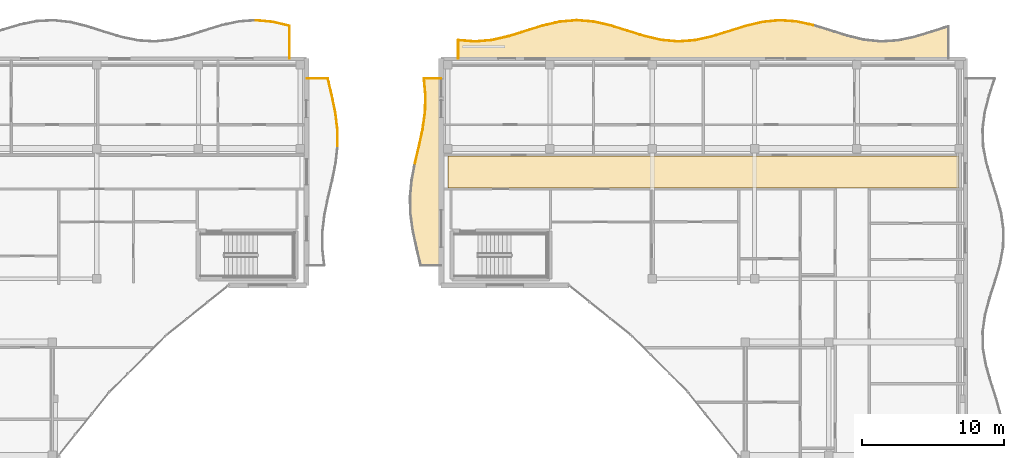
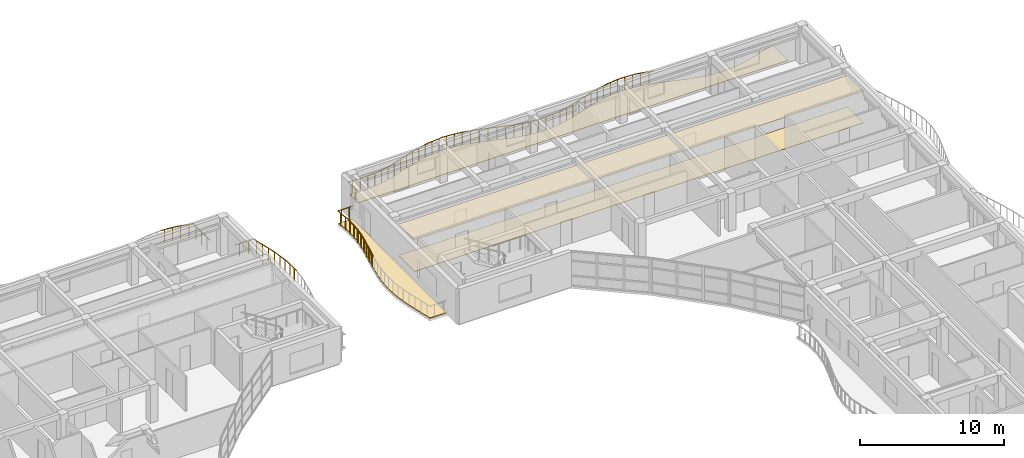
# One storey, part 78 of 79: 36 railings, 4 coverings.
"""IFC4 building model written with IfcOpenShell, lengths in metres."""

from ifc_helpers import new_model, si_unit, direction, frame, origin, origin_2d, place, context, subcontext, project, spatial, polyline, circle, outline, extrude, material, layer, layer_set, type_object, element, save


model = new_model("IFC4")

# Units and contexts
model_context = context("Model", 3, precision=1e-05, world=origin(), true_north=direction((0.0, 1.0)))
body_context = subcontext(model_context, "Body", "Model", "MODEL_VIEW")
ifc_project = project(units=[si_unit("LENGTHUNIT", "METRE"), si_unit("AREAUNIT", "SQUARE_METRE"), si_unit("VOLUMEUNIT", "CUBIC_METRE"), si_unit("PLANEANGLEUNIT", "RADIAN"), si_unit("MASSUNIT", "GRAM", prefix="KILO")], contexts=[model_context])

# Site, building, storey
site_placement = place(None, origin())
site = spatial("IfcSite", under=ifc_project, at=site_placement, CompositionType="ELEMENT")
building_placement = place(site_placement, origin())
building = spatial("IfcBuilding", under=site, at=building_placement, Name="Keldmere Railside Commons", CompositionType="ELEMENT")
storey_placement = place(building_placement, frame((0.0, 0.0, 10.56005859375)))
storey = spatial("IfcBuildingStorey", under=building, at=storey_placement, Name="L03", CompositionType="ELEMENT", Elevation=10.56005859375)

# Railings
ifc_material_1 = material(Name="Steel F-24 (S235)", Category="steel")
railing_type = type_object("IfcRailingType", Name="Balcony & Terrace Steel Balustrade 1100", PredefinedType="BALUSTRADE", material=ifc_material_1)
railing_1_placement = place(storey_placement, frame((133.9228515625, 118.69921875, 0.0)))
element("IfcRailing", 1, at=railing_1_placement, inside=storey, type_object=railing_type, Name="GR-1 GRD-L03-2140", PredefinedType="BALUSTRADE", context=body_context, shape_type="SweptSolid", body=[
    extrude(circle(Radius=0.02392578125, at=origin_2d()), frame((0.0, 0.0, 1.076171875), z_axis=(0.995371489976, -0.096102013206, 0.0), x_axis=(0.096102013206, 0.995371489976, 0.0)), (0.0, 0.0, 1.0), 1.194091796875),
    extrude(circle(Radius=0.02099609375, at=origin_2d()), frame((0.297119140625, -0.02880859375, 0.0)), (0.0, 0.0, 1.0), 1.048095703125),
    extrude(circle(Radius=0.02099609375, at=origin_2d()), frame((0.891357421875, -0.0859375, 0.0)), (0.0, 0.0, 1.0), 1.048095703125),
])
railing_2_placement = place(storey_placement, frame((135.111328125, 118.58447265625, 0.0)))
element("IfcRailing", 2, at=railing_2_placement, inside=storey, type_object=railing_type, Name="GR-1 GRD-L03-2141", PredefinedType="BALUSTRADE", context=body_context, shape_type="SweptSolid", body=[
    extrude(circle(Radius=0.02392578125, at=origin_2d()), frame((0.0, 0.0, 1.076171875), z_axis=(0.973043713498, -0.230620752799, 0.0), x_axis=(0.230620752799, 0.973043713498, 0.0)), (0.0, 0.0, 1.0), 1.2216796875),
    extrude(circle(Radius=0.02099609375, at=origin_2d()), frame((0.297119140625, -0.0703125, 0.0)), (0.0, 0.0, 1.0), 1.048095703125),
    extrude(circle(Radius=0.02099609375, at=origin_2d()), frame((0.8916015625, -0.21142578125, 0.0)), (0.0, 0.0, 1.0), 1.048095703125),
])
railing_3_placement = place(storey_placement, frame((136.300048828125, 118.302734375, 0.0)))
element("IfcRailing", 3, at=railing_3_placement, inside=storey, type_object=railing_type, Name="GR-1 GRD-L03-2142", PredefinedType="BALUSTRADE", context=body_context, shape_type="SweptSolid", body=[
    extrude(circle(Radius=0.02392578125, at=origin_2d()), frame((0.0, 0.0, 1.076171875), z_axis=(0.0, -1.0, 0.0), x_axis=(1.0, 0.0, 0.0)), (0.0, 0.0, 1.0), 2.302734375),
    extrude(circle(Radius=0.02099609375, at=origin_2d()), frame((0.0, -0.3837890625, 0.0)), (0.0, 0.0, 1.0), 1.048095703125),
    extrude(circle(Radius=0.02099609375, at=origin_2d()), frame((0.0, -1.1513671875, 0.0)), (0.0, 0.0, 1.0), 1.048095703125),
    extrude(circle(Radius=0.02099609375, at=origin_2d()), frame((0.0, -1.9189453125, 0.0)), (0.0, 0.0, 1.0), 1.048095703125),
])
railing_4_placement = place(storey_placement, frame((139.684326171875, 109.800048828125, 0.0)))
element("IfcRailing", 4, at=railing_4_placement, inside=storey, type_object=railing_type, Name="GR-1 GRD-L03-2206", PredefinedType="BALUSTRADE", context=body_context, shape_type="SweptSolid", body=[
    extrude(circle(Radius=0.02392578125, at=origin_2d()), frame((0.0, 0.0, 1.076171875), z_axis=(-0.005493304703, 0.999984911688, 0.0), x_axis=(-0.999984911688, -0.005493304703, 0.0)), (0.0, 0.0, 1.0), 1.199951171875),
    extrude(circle(Radius=0.02099609375, at=origin_2d()), frame((-0.001708984375, 0.300048828125, 0.0)), (0.0, 0.0, 1.0), 1.048095703125),
    extrude(circle(Radius=0.02099609375, at=origin_2d()), frame((-0.0048828125, 0.89990234375, 0.0)), (0.0, 0.0, 1.0), 1.048095703125),
])
railing_5_placement = place(storey_placement, frame((139.677734375, 111.0, 0.0)))
element("IfcRailing", 5, at=railing_5_placement, inside=storey, type_object=railing_type, Name="GR-1 GRD-L03-2207", PredefinedType="BALUSTRADE", context=body_context, shape_type="SweptSolid", body=[
    extrude(circle(Radius=0.02392578125, at=origin_2d()), frame((0.0, 0.0, 1.076171875), z_axis=(-0.122369416328, 0.992484622525, 0.0), x_axis=(-0.992484622525, -0.122369416328, 0.0)), (0.0, 0.0, 1.0), 1.208984375),
    extrude(circle(Radius=0.02099609375, at=origin_2d()), frame((-0.037109375, 0.300048828125, 0.0)), (0.0, 0.0, 1.0), 1.048095703125),
    extrude(circle(Radius=0.02099609375, at=origin_2d()), frame((-0.11083984375, 0.89990234375, 0.0)), (0.0, 0.0, 1.0), 1.048095703125),
])
railing_6_placement = place(storey_placement, frame((139.52978515625, 112.199951171875, 0.0)))
element("IfcRailing", 6, at=railing_6_placement, inside=storey, type_object=railing_type, Name="GR-1 GRD-L03-2208", PredefinedType="BALUSTRADE", context=body_context, shape_type="SweptSolid", body=[
    extrude(circle(Radius=0.02392578125, at=origin_2d()), frame((0.0, 0.0, 1.076171875), z_axis=(-0.203771300729, 0.979018517189, 0.0), x_axis=(-0.979018517189, -0.203771300729, 0.0)), (0.0, 0.0, 1.0), 1.2255859375),
    extrude(circle(Radius=0.02099609375, at=origin_2d()), frame((-0.0625, 0.300048828125, 0.0)), (0.0, 0.0, 1.0), 1.048095703125),
    extrude(circle(Radius=0.02099609375, at=origin_2d()), frame((-0.187255859375, 0.89990234375, 0.0)), (0.0, 0.0, 1.0), 1.048095703125),
])
railing_7_placement = place(storey_placement, frame((139.280029296875, 113.39990234375, 0.0)))
element("IfcRailing", 7, at=railing_7_placement, inside=storey, type_object=railing_type, Name="GR-1 GRD-L03-2209", PredefinedType="BALUSTRADE", context=body_context, shape_type="SweptSolid", body=[
    extrude(circle(Radius=0.02392578125, at=origin_2d()), frame((0.0, 0.0, 1.076171875), z_axis=(-0.23059461799, 0.97304990733, 0.0), x_axis=(-0.97304990733, -0.23059461799, 0.0)), (0.0, 0.0, 1.0), 1.2333984375),
    extrude(circle(Radius=0.02099609375, at=origin_2d()), frame((-0.071044921875, 0.300048828125, 0.0)), (0.0, 0.0, 1.0), 1.048095703125),
    extrude(circle(Radius=0.02099609375, at=origin_2d()), frame((-0.21337890625, 0.900146484375, 0.0)), (0.0, 0.0, 1.0), 1.048095703125),
])
railing_8_placement = place(storey_placement, frame((138.99560546875, 114.60009765625, 0.0)))
element("IfcRailing", 8, at=railing_8_placement, inside=storey, type_object=railing_type, Name="GR-1 GRD-L03-2210", PredefinedType="BALUSTRADE", context=body_context, shape_type="SweptSolid", body=[
    extrude(circle(Radius=0.02392578125, at=origin_2d()), frame((0.0, 0.0, 1.076171875), z_axis=(-1.0, 0.0, 0.0), x_axis=(0.0, -1.0, 0.0)), (0.0, 0.0, 1.0), 1.49560546875),
    extrude(circle(Radius=0.02099609375, at=origin_2d()), frame((-0.3740234375, 0.0, 0.0)), (0.0, 0.0, 1.0), 1.048095703125),
    extrude(circle(Radius=0.02099609375, at=origin_2d()), frame((-1.12158203125, 0.0, 0.0)), (0.0, 0.0, 1.0), 1.048095703125),
])
railing_9_placement = place(storey_placement, frame((148.199951171875, 116.0, 0.0)))
element("IfcRailing", 9, at=railing_9_placement, inside=storey, type_object=railing_type, Name="GR-1 GRD-L03-3422", PredefinedType="BALUSTRADE", context=body_context, shape_type="SweptSolid", body=[
    extrude(circle(Radius=0.02392578125, at=origin_2d()), frame((0.0, 0.0, 1.076171875), z_axis=(0.0, 1.0, 0.0), x_axis=(-1.0, 0.0, 0.0)), (0.0, 0.0, 1.0), 1.29638671875),
    extrude(circle(Radius=0.02099609375, at=origin_2d()), frame((0.0, 0.32421875, 0.0)), (0.0, 0.0, 1.0), 1.048095703125),
    extrude(circle(Radius=0.02099609375, at=origin_2d()), frame((0.0, 0.97216796875, 0.0)), (0.0, 0.0, 1.0), 1.048095703125),
])
railing_10_placement = place(storey_placement, frame((148.199951171875, 117.29638671875, 0.0)))
element("IfcRailing", 10, at=railing_10_placement, inside=storey, type_object=railing_type, Name="GR-1 GRD-L03-3423", PredefinedType="BALUSTRADE", context=body_context, shape_type="SweptSolid", body=[
    extrude(circle(Radius=0.02392578125, at=origin_2d()), frame((0.0, 0.0, 1.076171875), z_axis=(0.996749441819, -0.080563951201, 0.0), x_axis=(0.080563951201, 0.996749441819, 0.0)), (0.0, 0.0, 1.0), 1.197021484375),
    extrude(circle(Radius=0.02099609375, at=origin_2d()), frame((0.29833984375, -0.024169921875, 0.0)), (0.0, 0.0, 1.0), 1.048095703125),
    extrude(circle(Radius=0.02099609375, at=origin_2d()), frame((0.894775390625, -0.072265625, 0.0)), (0.0, 0.0, 1.0), 1.048095703125),
])
railing_11_placement = place(storey_placement, frame((149.39306640625, 117.199951171875, 0.0)))
element("IfcRailing", 11, at=railing_11_placement, inside=storey, type_object=railing_type, Name="GR-1 GRD-L03-3424", PredefinedType="BALUSTRADE", context=body_context, shape_type="SweptSolid", body=[
    extrude(circle(Radius=0.02392578125, at=origin_2d()), frame((0.0, 0.0, 1.076171875), z_axis=(0.996327293585, 0.085626655066, 0.0), x_axis=(-0.085626655066, 0.996327293585, 0.0)), (0.0, 0.0, 1.0), 1.197509765625),
    extrude(circle(Radius=0.02099609375, at=origin_2d()), frame((0.29833984375, 0.025634765625, 0.0)), (0.0, 0.0, 1.0), 1.048095703125),
    extrude(circle(Radius=0.02099609375, at=origin_2d()), frame((0.894775390625, 0.076904296875, 0.0)), (0.0, 0.0, 1.0), 1.048095703125),
])
railing_12_placement = place(storey_placement, frame((150.586181640625, 117.302490234375, 0.0)))
element("IfcRailing", 12, at=railing_12_placement, inside=storey, type_object=railing_type, Name="GR-1 GRD-L03-3425", PredefinedType="BALUSTRADE", context=body_context, shape_type="SweptSolid", body=[
    extrude(circle(Radius=0.02392578125, at=origin_2d()), frame((0.0, 0.0, 1.076171875), z_axis=(0.974642679122, 0.223766950271, 0.0), x_axis=(-0.223766950271, 0.974642679122, 0.0)), (0.0, 0.0, 1.0), 1.22412109375),
    extrude(circle(Radius=0.02099609375, at=origin_2d()), frame((0.29833984375, 0.068359375, 0.0)), (0.0, 0.0, 1.0), 1.048095703125),
    extrude(circle(Radius=0.02099609375, at=origin_2d()), frame((0.894775390625, 0.20556640625, 0.0)), (0.0, 0.0, 1.0), 1.048095703125),
])
for number, where, name in (
    (13, (151.779296875, 117.576416015625, 0.0), "GR-1 GRD-L03-3426"),
    (14, (152.972412109375, 117.949462890625, 0.0), "GR-1 GRD-L03-3427"),
):
    element("IfcRailing", number, at=place(storey_placement, frame(where)), inside=storey, type_object=railing_type, Name=name, PredefinedType="BALUSTRADE", context=body_context, shape_type="SweptSolid", body=[
        extrude(circle(Radius=0.02392578125, at=origin_2d()), frame((0.0, 0.0, 1.076171875), z_axis=(0.954434790756, 0.298419553975, 0.0), x_axis=(-0.298419553975, 0.954434790756, 0.0)), (0.0, 0.0, 1.0), 1.25),
        extrude(circle(Radius=0.02099609375, at=origin_2d()), frame((0.29833984375, 0.09326171875, 0.0)), (0.0, 0.0, 1.0), 1.048095703125),
        extrude(circle(Radius=0.02099609375, at=origin_2d()), frame((0.894775390625, 0.27978515625, 0.0)), (0.0, 0.0, 1.0), 1.048095703125),
    ])
railing_13_placement = place(storey_placement, frame((154.16552734375, 118.322509765625, 0.0)))
element("IfcRailing", 15, at=railing_13_placement, inside=storey, type_object=railing_type, Name="GR-1 GRD-L03-3428", PredefinedType="BALUSTRADE", context=body_context, shape_type="SweptSolid", body=[
    extrude(circle(Radius=0.02392578125, at=origin_2d()), frame((0.0, 0.0, 1.076171875), z_axis=(0.97455562223, 0.224145798933, 0.0), x_axis=(-0.224145798933, 0.97455562223, 0.0)), (0.0, 0.0, 1.0), 1.224365234375),
    extrude(circle(Radius=0.02099609375, at=origin_2d()), frame((0.29833984375, 0.068603515625, 0.0)), (0.0, 0.0, 1.0), 1.048095703125),
    extrude(circle(Radius=0.02099609375, at=origin_2d()), frame((0.894775390625, 0.205810546875, 0.0)), (0.0, 0.0, 1.0), 1.048095703125),
])
railing_14_placement = place(storey_placement, frame((155.358642578125, 118.596923828125, 0.0)))
element("IfcRailing", 16, at=railing_14_placement, inside=storey, type_object=railing_type, Name="GR-1 GRD-L03-3429", PredefinedType="BALUSTRADE", context=body_context, shape_type="SweptSolid", body=[
    extrude(circle(Radius=0.02392578125, at=origin_2d()), frame((0.0, 0.0, 1.076171875), z_axis=(0.996292426897, 0.08603139025, 0.0), x_axis=(-0.08603139025, 0.996292426897, 0.0)), (0.0, 0.0, 1.0), 1.197509765625),
    extrude(circle(Radius=0.02099609375, at=origin_2d()), frame((0.29833984375, 0.02587890625, 0.0)), (0.0, 0.0, 1.0), 1.048095703125),
    extrude(circle(Radius=0.02099609375, at=origin_2d()), frame((0.894775390625, 0.0771484375, 0.0)), (0.0, 0.0, 1.0), 1.048095703125),
])
railing_15_placement = place(storey_placement, frame((156.5517578125, 118.699951171875, 0.0)))
element("IfcRailing", 17, at=railing_15_placement, inside=storey, type_object=railing_type, Name="GR-1 GRD-L03-3430", PredefinedType="BALUSTRADE", context=body_context, shape_type="SweptSolid", body=[
    extrude(circle(Radius=0.02392578125, at=origin_2d()), frame((0.0, 0.0, 1.076171875), z_axis=(0.996798393917, -0.079955999676, 0.0), x_axis=(0.079955999676, 0.996798393917, 0.0)), (0.0, 0.0, 1.0), 1.197021484375),
    extrude(circle(Radius=0.02099609375, at=origin_2d()), frame((0.29833984375, -0.02392578125, 0.0)), (0.0, 0.0, 1.0), 1.048095703125),
    extrude(circle(Radius=0.02099609375, at=origin_2d()), frame((0.894775390625, -0.07177734375, 0.0)), (0.0, 0.0, 1.0), 1.048095703125),
])
railing_16_placement = place(storey_placement, frame((157.744873046875, 118.604248046875, 0.0)))
element("IfcRailing", 18, at=railing_16_placement, inside=storey, type_object=railing_type, Name="GR-1 GRD-L03-3431", PredefinedType="BALUSTRADE", context=body_context, shape_type="SweptSolid", body=[
    extrude(circle(Radius=0.02392578125, at=origin_2d()), frame((0.0, 0.0, 1.076171875), z_axis=(0.975505981834, -0.219972906073, 0.0), x_axis=(0.219972906073, 0.975505981834, 0.0)), (0.0, 0.0, 1.0), 1.22314453125),
    extrude(circle(Radius=0.02099609375, at=origin_2d()), frame((0.29833984375, -0.0673828125, 0.0)), (0.0, 0.0, 1.0), 1.048095703125),
    extrude(circle(Radius=0.02099609375, at=origin_2d()), frame((0.894775390625, -0.20166015625, 0.0)), (0.0, 0.0, 1.0), 1.048095703125),
])
railing_17_placement = place(storey_placement, frame((158.93798828125, 118.335205078125, 0.0)))
element("IfcRailing", 19, at=railing_17_placement, inside=storey, type_object=railing_type, Name="GR-1 GRD-L03-3432", PredefinedType="BALUSTRADE", context=body_context, shape_type="SweptSolid", body=[
    extrude(circle(Radius=0.02392578125, at=origin_2d()), frame((0.0, 0.0, 1.076171875), z_axis=(0.954878943277, -0.296995292364, 0.0), x_axis=(0.296995292364, 0.954878943277, 0.0)), (0.0, 0.0, 1.0), 1.24951171875),
    extrude(circle(Radius=0.02099609375, at=origin_2d()), frame((0.29833984375, -0.0927734375, 0.0)), (0.0, 0.0, 1.0), 1.048095703125),
    extrude(circle(Radius=0.02099609375, at=origin_2d()), frame((0.894775390625, -0.2783203125, 0.0)), (0.0, 0.0, 1.0), 1.048095703125),
])
railing_18_placement = place(storey_placement, frame((160.131103515625, 117.964111328125, 0.0)))
element("IfcRailing", 20, at=railing_18_placement, inside=storey, type_object=railing_type, Name="GR-1 GRD-L03-3433", PredefinedType="BALUSTRADE", context=body_context, shape_type="SweptSolid", body=[
    extrude(circle(Radius=0.02392578125, at=origin_2d()), frame((0.0, 0.0, 1.076171875), z_axis=(0.954044756394, -0.299664150003, 0.0), x_axis=(0.299664150003, 0.954044756394, 0.0)), (0.0, 0.0, 1.0), 1.25048828125),
    extrude(circle(Radius=0.02099609375, at=origin_2d()), frame((0.29833984375, -0.09375, 0.0)), (0.0, 0.0, 1.0), 1.048095703125),
    extrude(circle(Radius=0.02099609375, at=origin_2d()), frame((0.894775390625, -0.281005859375, 0.0)), (0.0, 0.0, 1.0), 1.048095703125),
])
railing_19_placement = place(storey_placement, frame((161.32421875, 117.58935546875, 0.0)))
element("IfcRailing", 21, at=railing_19_placement, inside=storey, type_object=railing_type, Name="GR-1 GRD-L03-3434", PredefinedType="BALUSTRADE", context=body_context, shape_type="SweptSolid", body=[
    extrude(circle(Radius=0.02392578125, at=origin_2d()), frame((0.0, 0.0, 1.076171875), z_axis=(0.97366747734, -0.227972900957, 0.0), x_axis=(0.227972900957, 0.97366747734, 0.0)), (0.0, 0.0, 1.0), 1.22509765625),
    extrude(circle(Radius=0.02099609375, at=origin_2d()), frame((0.29833984375, -0.06982421875, 0.0)), (0.0, 0.0, 1.0), 1.048095703125),
    extrude(circle(Radius=0.02099609375, at=origin_2d()), frame((0.89453125, -0.20947265625, 0.0)), (0.0, 0.0, 1.0), 1.048095703125),
])
railing_20_placement = place(storey_placement, frame((162.51708984375, 117.31005859375, 0.0)))
element("IfcRailing", 22, at=railing_20_placement, inside=storey, type_object=railing_type, Name="GR-1 GRD-L03-3435", PredefinedType="BALUSTRADE", context=body_context, shape_type="SweptSolid", body=[
    extrude(circle(Radius=0.02392578125, at=origin_2d()), frame((0.0, 0.0, 1.076171875), z_axis=(0.995787312258, -0.091693122676, 0.0), x_axis=(0.091693122676, 0.995787312258, 0.0)), (0.0, 0.0, 1.0), 1.1982421875),
    extrude(circle(Radius=0.02099609375, at=origin_2d()), frame((0.29833984375, -0.02734375, 0.0)), (0.0, 0.0, 1.0), 1.048095703125),
    extrude(circle(Radius=0.02099609375, at=origin_2d()), frame((0.894775390625, -0.08251953125, 0.0)), (0.0, 0.0, 1.0), 1.048095703125),
])
railing_21_placement = place(storey_placement, frame((163.710205078125, 117.2001953125, 0.0)))
element("IfcRailing", 23, at=railing_21_placement, inside=storey, type_object=railing_type, Name="GR-1 GRD-L03-3436", PredefinedType="BALUSTRADE", context=body_context, shape_type="SweptSolid", body=[
    extrude(circle(Radius=0.02392578125, at=origin_2d()), frame((0.0, 0.0, 1.076171875), z_axis=(0.997222470252, 0.07448049962, 0.0), x_axis=(-0.07448049962, 0.997222470252, 0.0)), (0.0, 0.0, 1.0), 1.196533203125),
    extrude(circle(Radius=0.02099609375, at=origin_2d()), frame((0.29833984375, 0.022216796875, 0.0)), (0.0, 0.0, 1.0), 1.048095703125),
    extrude(circle(Radius=0.02099609375, at=origin_2d()), frame((0.894775390625, 0.06689453125, 0.0)), (0.0, 0.0, 1.0), 1.048095703125),
])
railing_22_placement = place(storey_placement, frame((164.9033203125, 117.289306640625, 0.0)))
element("IfcRailing", 24, at=railing_22_placement, inside=storey, type_object=railing_type, Name="GR-1 GRD-L03-3437", PredefinedType="BALUSTRADE", context=body_context, shape_type="SweptSolid", body=[
    extrude(circle(Radius=0.02392578125, at=origin_2d()), frame((0.0, 0.0, 1.076171875), z_axis=(0.976407460699, 0.215936265347, 0.0), x_axis=(-0.215936265347, 0.976407460699, 0.0)), (0.0, 0.0, 1.0), 1.22216796875),
    extrude(circle(Radius=0.02099609375, at=origin_2d()), frame((0.29833984375, 0.06591796875, 0.0)), (0.0, 0.0, 1.0), 1.048095703125),
    extrude(circle(Radius=0.02099609375, at=origin_2d()), frame((0.89501953125, 0.197998046875, 0.0)), (0.0, 0.0, 1.0), 1.048095703125),
])
railing_23_placement = place(storey_placement, frame((166.0966796875, 117.55322265625, 0.0)))
element("IfcRailing", 25, at=railing_23_placement, inside=storey, type_object=railing_type, Name="GR-1 GRD-L03-3438", PredefinedType="BALUSTRADE", context=body_context, shape_type="SweptSolid", body=[
    extrude(circle(Radius=0.02392578125, at=origin_2d()), frame((0.0, 0.0, 1.076171875), z_axis=(0.955321380053, 0.295569045762, 0.0), x_axis=(-0.295569045762, 0.955321380053, 0.0)), (0.0, 0.0, 1.0), 1.2490234375),
    extrude(circle(Radius=0.02099609375, at=origin_2d()), frame((0.29833984375, 0.09228515625, 0.0)), (0.0, 0.0, 1.0), 1.048095703125),
    extrude(circle(Radius=0.02099609375, at=origin_2d()), frame((0.894775390625, 0.27685546875, 0.0)), (0.0, 0.0, 1.0), 1.048095703125),
])
railing_24_placement = place(storey_placement, frame((167.289794921875, 117.92236328125, 0.0)))
element("IfcRailing", 26, at=railing_24_placement, inside=storey, type_object=railing_type, Name="GR-1 GRD-L03-3439", PredefinedType="BALUSTRADE", context=body_context, shape_type="SweptSolid", body=[
    extrude(circle(Radius=0.02392578125, at=origin_2d()), frame((0.0, 0.0, 1.076171875), z_axis=(0.953653420366, 0.300907217967, 0.0), x_axis=(-0.300907217967, 0.953653420366, 0.0)), (0.0, 0.0, 1.0), 1.251220703125),
    extrude(circle(Radius=0.02099609375, at=origin_2d()), frame((0.29833984375, 0.09423828125, 0.0)), (0.0, 0.0, 1.0), 1.048095703125),
    extrude(circle(Radius=0.02099609375, at=origin_2d()), frame((0.894775390625, 0.2822265625, 0.0)), (0.0, 0.0, 1.0), 1.048095703125),
])
railing_25_placement = place(storey_placement, frame((168.48291015625, 118.298828125, 0.0)))
element("IfcRailing", 27, at=railing_25_placement, inside=storey, type_object=railing_type, Name="GR-1 GRD-L03-3440", PredefinedType="BALUSTRADE", context=body_context, shape_type="SweptSolid", body=[
    extrude(circle(Radius=0.02392578125, at=origin_2d()), frame((0.0, 0.0, 1.076171875), z_axis=(0.972821166806, 0.231557719401, 0.0), x_axis=(-0.231557719401, 0.972821166806, 0.0)), (0.0, 0.0, 1.0), 1.226318359375),
    extrude(circle(Radius=0.02099609375, at=origin_2d()), frame((0.29833984375, 0.071044921875, 0.0)), (0.0, 0.0, 1.0), 1.048095703125),
    extrude(circle(Radius=0.02099609375, at=origin_2d()), frame((0.89453125, 0.212890625, 0.0)), (0.0, 0.0, 1.0), 1.048095703125),
])
railing_26_placement = place(storey_placement, frame((169.67578125, 118.582763671875, 0.0)))
element("IfcRailing", 28, at=railing_26_placement, inside=storey, type_object=railing_type, Name="GR-1 GRD-L03-3441", PredefinedType="BALUSTRADE", context=body_context, shape_type="SweptSolid", body=[
    extrude(circle(Radius=0.02392578125, at=origin_2d()), frame((0.0, 0.0, 1.076171875), z_axis=(0.995270312586, 0.097144247821, 0.0), x_axis=(-0.097144247821, 0.995270312586, 0.0)), (0.0, 0.0, 1.0), 1.19873046875),
    extrude(circle(Radius=0.02099609375, at=origin_2d()), frame((0.29833984375, 0.029052734375, 0.0)), (0.0, 0.0, 1.0), 1.048095703125),
    extrude(circle(Radius=0.02099609375, at=origin_2d()), frame((0.894775390625, 0.08740234375, 0.0)), (0.0, 0.0, 1.0), 1.048095703125),
])
railing_27_placement = place(storey_placement, frame((170.868896484375, 118.69921875, 0.0)))
element("IfcRailing", 29, at=railing_27_placement, inside=storey, type_object=railing_type, Name="GR-1 GRD-L03-3442", PredefinedType="BALUSTRADE", context=body_context, shape_type="SweptSolid", body=[
    extrude(circle(Radius=0.02392578125, at=origin_2d()), frame((0.0, 0.0, 1.076171875), z_axis=(0.997644801614, -0.068591907784, 0.0), x_axis=(0.068591907784, 0.997644801614, 0.0)), (0.0, 0.0, 1.0), 1.196044921875),
    extrude(circle(Radius=0.02099609375, at=origin_2d()), frame((0.29833984375, -0.0205078125, 0.0)), (0.0, 0.0, 1.0), 1.048095703125),
    extrude(circle(Radius=0.02099609375, at=origin_2d()), frame((0.894775390625, -0.0615234375, 0.0)), (0.0, 0.0, 1.0), 1.048095703125),
])
railing_28_placement = place(storey_placement, frame((172.06201171875, 118.6171875, 0.0)))
element("IfcRailing", 30, at=railing_28_placement, inside=storey, type_object=railing_type, Name="GR-1 GRD-L03-3443", PredefinedType="BALUSTRADE", context=body_context, shape_type="SweptSolid", body=[
    extrude(circle(Radius=0.02392578125, at=origin_2d()), frame((0.0, 0.0, 1.076171875), z_axis=(0.977234079739, -0.212163977615, 0.0), x_axis=(0.212163977615, 0.977234079739, 0.0)), (0.0, 0.0, 1.0), 1.220947265625),
    extrude(circle(Radius=0.02099609375, at=origin_2d()), frame((0.29833984375, -0.064697265625, 0.0)), (0.0, 0.0, 1.0), 1.048095703125),
    extrude(circle(Radius=0.02099609375, at=origin_2d()), frame((0.894775390625, -0.1943359375, 0.0)), (0.0, 0.0, 1.0), 1.048095703125),
])
railing_29_placement = place(storey_placement, frame((145.144287109375, 108.60009765625, 0.0)))
element("IfcRailing", 31, at=railing_29_placement, inside=storey, type_object=railing_type, Name="GR-1 GRD-L03-3536", PredefinedType="BALUSTRADE", context=body_context, shape_type="SweptSolid", body=[
    extrude(circle(Radius=0.02392578125, at=origin_2d()), frame((0.0, 0.0, 1.076171875), z_axis=(0.22932631443, 0.973349598813, 0.0), x_axis=(-0.973349598813, 0.22932631443, 0.0)), (0.0, 0.0, 1.0), 1.23291015625),
    extrude(circle(Radius=0.02099609375, at=origin_2d()), frame((0.07080078125, 0.300048828125, 0.0)), (0.0, 0.0, 1.0), 1.048095703125),
    extrude(circle(Radius=0.02099609375, at=origin_2d()), frame((0.2119140625, 0.89990234375, 0.0)), (0.0, 0.0, 1.0), 1.048095703125),
])
railing_30_placement = place(storey_placement, frame((145.427001953125, 109.800048828125, 0.0)))
element("IfcRailing", 32, at=railing_30_placement, inside=storey, type_object=railing_type, Name="GR-1 GRD-L03-3537", PredefinedType="BALUSTRADE", context=body_context, shape_type="SweptSolid", body=[
    extrude(circle(Radius=0.02392578125, at=origin_2d()), frame((0.0, 0.0, 1.076171875), z_axis=(0.213287820166, 0.976989409241, 0.0), x_axis=(-0.976989409241, 0.213287820166, 0.0)), (0.0, 0.0, 1.0), 1.228271484375),
    extrude(circle(Radius=0.02099609375, at=origin_2d()), frame((0.0654296875, 0.300048828125, 0.0)), (0.0, 0.0, 1.0), 1.048095703125),
    extrude(circle(Radius=0.02099609375, at=origin_2d()), frame((0.196533203125, 0.89990234375, 0.0)), (0.0, 0.0, 1.0), 1.048095703125),
])
railing_31_placement = place(storey_placement, frame((145.68896484375, 111.0, 0.0)))
element("IfcRailing", 33, at=railing_31_placement, inside=storey, type_object=railing_type, Name="GR-1 GRD-L03-3538", PredefinedType="BALUSTRADE", context=body_context, shape_type="SweptSolid", body=[
    extrude(circle(Radius=0.02392578125, at=origin_2d()), frame((0.0, 0.0, 1.076171875), z_axis=(0.14119576162, 0.989981695235, 0.0), x_axis=(-0.989981695235, 0.14119576162, 0.0)), (0.0, 0.0, 1.0), 1.212158203125),
    extrude(circle(Radius=0.02099609375, at=origin_2d()), frame((0.042724609375, 0.300048828125, 0.0)), (0.0, 0.0, 1.0), 1.048095703125),
    extrude(circle(Radius=0.02099609375, at=origin_2d()), frame((0.12841796875, 0.89990234375, 0.0)), (0.0, 0.0, 1.0), 1.048095703125),
])
railing_32_placement = place(storey_placement, frame((145.860107421875, 112.199951171875, 0.0)))
element("IfcRailing", 34, at=railing_32_placement, inside=storey, type_object=railing_type, Name="GR-1 GRD-L03-3539", PredefinedType="BALUSTRADE", context=body_context, shape_type="SweptSolid", body=[
    extrude(circle(Radius=0.02392578125, at=origin_2d()), frame((0.0, 0.0, 1.076171875), z_axis=(0.028675893274, 0.999588762014, 0.0), x_axis=(-0.999588762014, 0.028675893274, 0.0)), (0.0, 0.0, 1.0), 1.200439453125),
    extrude(circle(Radius=0.02099609375, at=origin_2d()), frame((0.008544921875, 0.300048828125, 0.0)), (0.0, 0.0, 1.0), 1.048095703125),
    extrude(circle(Radius=0.02099609375, at=origin_2d()), frame((0.02587890625, 0.89990234375, 0.0)), (0.0, 0.0, 1.0), 1.048095703125),
])
railing_33_placement = place(storey_placement, frame((145.89453125, 113.39990234375, 0.0)))
element("IfcRailing", 35, at=railing_33_placement, inside=storey, type_object=railing_type, Name="GR-1 GRD-L03-3540", PredefinedType="BALUSTRADE", context=body_context, shape_type="SweptSolid", body=[
    extrude(circle(Radius=0.02392578125, at=origin_2d()), frame((0.0, 0.0, 1.076171875), z_axis=(-0.092361845435, 0.995725509118, 0.0), x_axis=(-0.995725509118, -0.092361845435, 0.0)), (0.0, 0.0, 1.0), 1.205322265625),
    extrude(circle(Radius=0.02099609375, at=origin_2d()), frame((-0.02783203125, 0.300048828125, 0.0)), (0.0, 0.0, 1.0), 1.048095703125),
    extrude(circle(Radius=0.02099609375, at=origin_2d()), frame((-0.08349609375, 0.900146484375, 0.0)), (0.0, 0.0, 1.0), 1.048095703125),
])
railing_34_placement = place(storey_placement, frame((145.783203125, 114.60009765625, 0.0)))
element("IfcRailing", 36, at=railing_34_placement, inside=storey, type_object=railing_type, Name="GR-1 GRD-L03-3541", PredefinedType="BALUSTRADE", context=body_context, shape_type="SweptSolid", body=[
    extrude(circle(Radius=0.02392578125, at=origin_2d()), frame((0.0, 0.0, 1.076171875), z_axis=(1.0, 0.0, 0.0), x_axis=(0.0, 1.0, 0.0)), (0.0, 0.0, 1.0), 1.216796875),
    extrude(circle(Radius=0.02099609375, at=origin_2d()), frame((0.30419921875, 0.0, 0.0)), (0.0, 0.0, 1.0), 1.048095703125),
    extrude(circle(Radius=0.02099609375, at=origin_2d()), frame((0.91259765625, 0.0, 0.0)), (0.0, 0.0, 1.0), 1.048095703125),
])

# Coverings
ifc_material_2 = material(Name="Polished Terrazzo Tile Flooring", Category="concrete")
ifc_layer_1 = layer(ifc_material_2, 0.030029296875, Name="Polished Terrazzo Floor Finish 30")
ifc_layer_set_1 = layer_set([ifc_layer_1], Name="Polished Terrazzo Tile Flooring")
covering_type_1 = type_object("IfcCoveringType", Name="Polished Terrazzo Floor Finish 30", PredefinedType="FLOORING", material=ifc_layer_set_1)
covering_1_placement = place(storey_placement, origin())
element("IfcCovering", 37, at=covering_1_placement, inside=storey, type_object=covering_type_1, Name="FLR-1 Corridor Terrazzo A-L03", PredefinedType="FLOORING", context=body_context, shape_type="SweptSolid", body=[
    extrude(outline(polyline([(147.47998046875, 106.8798828125), (183.52001953125, 106.8798828125), (183.52001953125, 109.1201171875), (147.47998046875, 109.1201171875), (147.47998046875, 106.8798828125)])), origin(), (0.0, 0.0, 1.0), 0.030029296875),
])
ifc_material_3 = material(Name="Acoustic Mineral-Fibre Gypsum Ceiling", Category="gypsum")
ifc_layer_2 = layer(ifc_material_3, 0.02490234375, Name="Suspended Acoustic Ceiling 25")
ifc_layer_set_2 = layer_set([ifc_layer_2], Name="Acoustic Mineral-Fibre Gypsum Ceiling")
covering_type_2 = type_object("IfcCoveringType", Name="Suspended Acoustic Ceiling 25", PredefinedType="CEILING", material=ifc_layer_set_2)
covering_2_placement = place(storey_placement, frame((0.0, 0.0, 2.675048828125)))
element("IfcCovering", 38, at=covering_2_placement, inside=storey, type_object=covering_type_2, Name="CLG-1 Corridor Ceiling A-L03", PredefinedType="CEILING", context=body_context, shape_type="SweptSolid", body=[
    extrude(outline(polyline([(147.47998046875, 106.8798828125), (183.52001953125, 106.8798828125), (183.52001953125, 109.1201171875), (147.47998046875, 109.1201171875), (147.47998046875, 106.8798828125)])), origin(), (0.0, 0.0, 1.0), 0.02490234375),
])
ifc_material_4 = material(Name="White Precast Concrete C35/45", Category="concrete")
ifc_layer_3 = layer(ifc_material_4, 0.044921875, Name="White Architectural Balcony Ribbon Cladding 45")
ifc_layer_set_3 = layer_set([ifc_layer_3], Name="White Precast Concrete C35/45")
covering_type_3 = type_object("IfcCoveringType", Name="White Architectural Balcony Ribbon Cladding 45", PredefinedType="FLOORING", material=ifc_layer_set_3)
covering_3_placement = place(storey_placement, origin())
element("IfcCovering", 39, at=covering_3_placement, inside=storey, type_object=covering_type_3, Name="CLG-WB A L03 N White Balcony Ribbon", PredefinedType="FLOORING", context=body_context, shape_type="SweptSolid", body=[
    extrude(outline(polyline([(182.760009765625, 116.0400390625), (182.760009765625, 118.219970703125), (181.618896484375, 117.857177734375), (181.61865234375, 117.85693359375), (180.425537109375, 117.4921875), (180.422119140625, 117.491455078125), (179.22900390625, 117.23779296875), (179.22314453125, 117.23681640625), (178.030029296875, 117.16162109375), (178.02685546875, 117.16162109375), (178.0234375, 117.16162109375), (176.830322265625, 117.284912109375), (176.8251953125, 117.28564453125), (175.632080078125, 117.574462890625), (175.62939453125, 117.5751953125), (174.436279296875, 117.952880859375), (173.2451171875, 118.319580078125), (172.056396484375, 118.577392578125), (170.86962890625, 118.6591796875), (169.6826171875, 118.543212890625), (168.493408203125, 118.26025390625), (167.3017578125, 117.88427734375), (167.301513671875, 117.884033203125), (166.1083984375, 117.514892578125), (166.105224609375, 117.51416015625), (164.912109375, 117.25), (164.906494140625, 117.249267578125), (163.71337890625, 117.160400390625), (163.7099609375, 117.160400390625), (163.70654296875, 117.160400390625), (162.513427734375, 117.270263671875), (162.508056640625, 117.27099609375), (161.31494140625, 117.55029296875), (161.31201171875, 117.551025390625), (160.119140625, 117.926025390625), (158.927490234375, 118.296630859375), (157.73876953125, 118.564697265625), (156.5517578125, 118.659912109375), (155.36474609375, 118.557373046875), (154.176025390625, 118.283935546875), (152.984375, 117.9111328125), (151.791259765625, 117.5380859375), (151.788330078125, 117.537353515625), (150.59521484375, 117.263427734375), (150.589599609375, 117.262451171875), (149.396484375, 117.16015625), (149.393310546875, 117.159912109375), (149.389892578125, 117.16015625), (148.239990234375, 117.2529296875), (148.239990234375, 116.0400390625), (182.760009765625, 116.0400390625)])), origin(), (0.0, 0.0, 1.0), 0.044921875),
])
covering_4_placement = place(storey_placement, origin())
element("IfcCovering", 40, at=covering_4_placement, inside=storey, type_object=covering_type_3, Name="CLG-WB A L03 WW White Balcony Ribbon", PredefinedType="FLOORING", context=body_context, shape_type="SweptSolid", body=[
    extrude(outline(polyline([(146.9599609375, 114.56005859375), (145.826904296875, 114.56005859375), (145.934326171875, 113.40380859375), (145.9345703125, 113.39892578125), (145.900146484375, 112.198974609375), (145.899658203125, 112.1943359375), (145.728515625, 110.994384765625), (145.72802734375, 110.991455078125), (145.466064453125, 109.79150390625), (145.4658203125, 109.790771484375), (145.18359375, 108.591796875), (144.95654296875, 107.394287109375), (144.845458984375, 106.19873046875), (144.8798828125, 105.00341796875), (145.05029296875, 103.80712890625), (145.31201171875, 102.60888671875), (145.58740234375, 101.43994140625), (146.9599609375, 101.43994140625), (146.9599609375, 114.56005859375)])), origin(), (0.0, 0.0, 1.0), 0.044921875),
])

save(model, "model.ifc")
